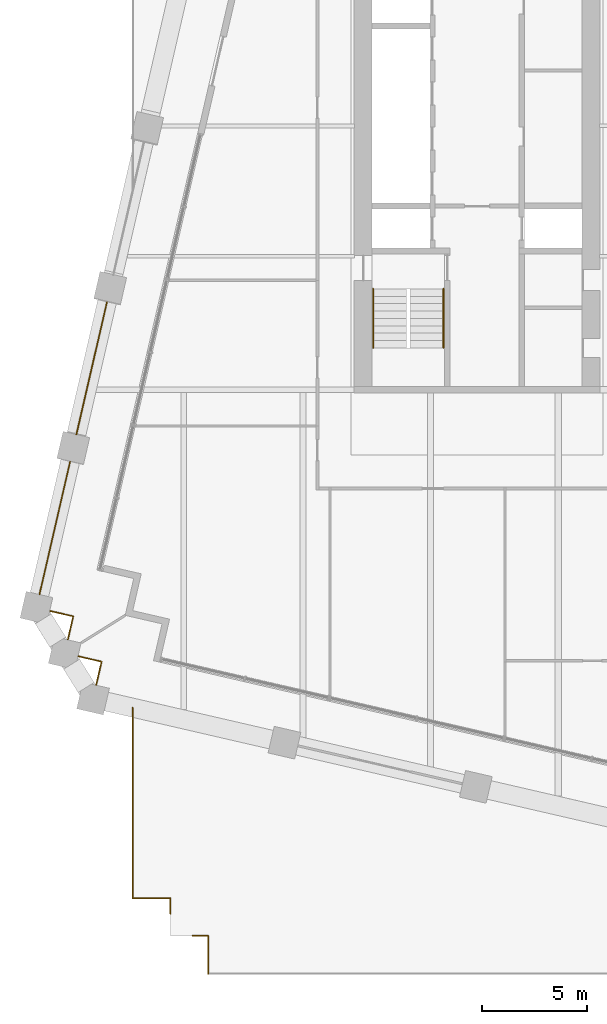
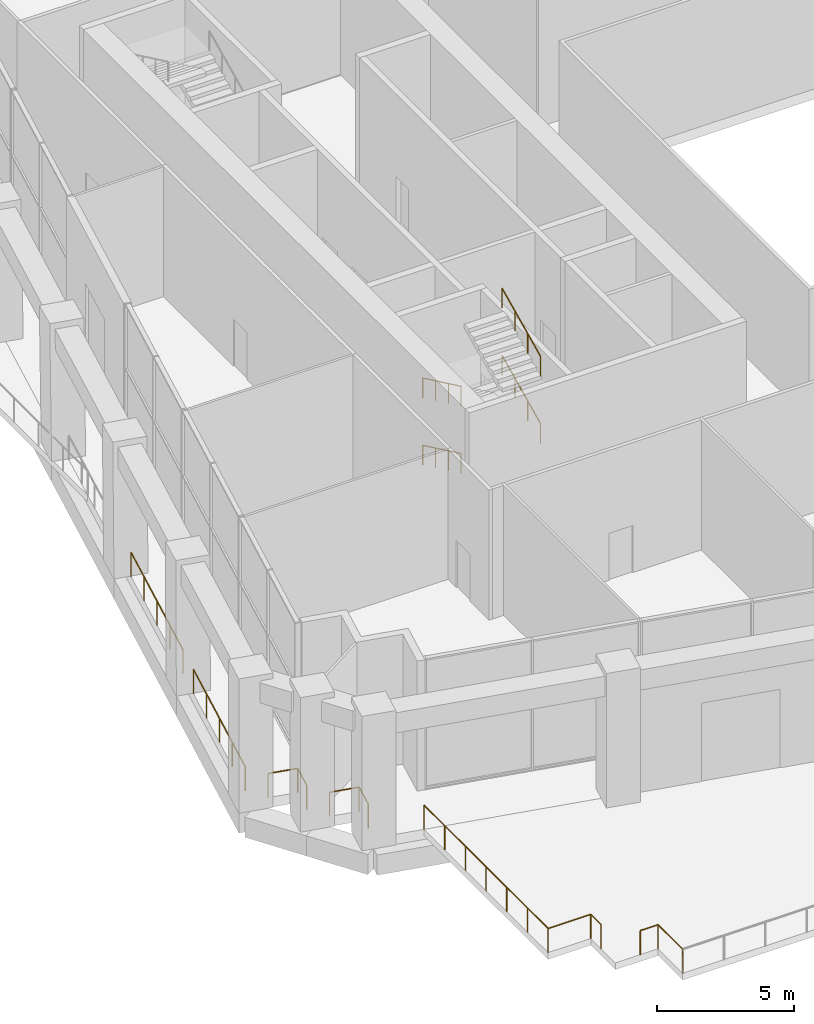
# One storey, part 20 of 23: 13 railings.
"""IFC4 building model written with IfcOpenShell, lengths in metres."""

from ifc_helpers import new_model, si_unit, direction, frame, origin, origin_2d, place, context, subcontext, project, spatial, circle, extrude, material, type_object, element, save


model = new_model("IFC4")

# Units and contexts
model_context = context("Model", 3, precision=1e-05, world=origin(), true_north=direction((0.0, 1.0)))
body_context = subcontext(model_context, "Body", "Model", "MODEL_VIEW")
ifc_project = project(units=[si_unit("LENGTHUNIT", "METRE"), si_unit("AREAUNIT", "SQUARE_METRE"), si_unit("VOLUMEUNIT", "CUBIC_METRE"), si_unit("PLANEANGLEUNIT", "RADIAN"), si_unit("MASSUNIT", "GRAM", prefix="KILO")], contexts=[model_context])

# Site, building, storey
site_placement = place(None, origin())
site = spatial("IfcSite", under=ifc_project, at=site_placement, CompositionType="ELEMENT")
building_placement = place(site_placement, origin())
building = spatial("IfcBuilding", under=site, at=building_placement, Name="Ogive Exchange Tower", CompositionType="ELEMENT")
storey_placement = place(building_placement, frame((0.0, 0.0, 99.60009765625)))
storey = spatial("IfcBuildingStorey", under=building, at=storey_placement, Name="L21", CompositionType="ELEMENT", Elevation=99.60009765625)

# Railings
ifc_material_1 = material(Name="Stainless steel 316", Category="steel")
railing_type_1 = type_object("IfcRailingType", Name="Balustrade 1100 glass and stainless steel", PredefinedType="BALUSTRADE", material=ifc_material_1)
railing_1_placement = place(storey_placement, frame((-28.800048828125, -30.39990234375, 0.0)))
element("IfcRailing", 1, at=railing_1_placement, inside=storey, type_object=railing_type_1, Name="Terrace balustrade 6", PredefinedType="BALUSTRADE", context=body_context, shape_type="SweptSolid", body=[
    extrude(circle(Radius=0.02392578125, at=origin_2d()), frame((0.0, 0.0, 1.076171875), z_axis=(0.0, 1.0, 0.0), x_axis=(-1.0, 0.0, 0.0)), (0.0, 0.0, 1.0), 1.7998046875),
    extrude(circle(Radius=0.02099609375, at=origin_2d()), origin(), (0.0, 0.0, 1.0), 1.052001953125),
    extrude(circle(Radius=0.02099609375, at=origin_2d()), frame((0.0, 1.7998046875, 0.0)), (0.0, 0.0, 1.0), 1.052001953125),
])
railing_2_placement = place(storey_placement, frame((-28.800048828125, -28.60009765625, 0.0)))
element("IfcRailing", 2, at=railing_2_placement, inside=storey, type_object=railing_type_1, Name="Terrace balustrade 7", PredefinedType="BALUSTRADE", context=body_context, shape_type="SweptSolid", body=[
    extrude(circle(Radius=0.02392578125, at=origin_2d()), frame((0.0, 0.0, 1.076171875), z_axis=(-1.0, 0.0, 0.0), x_axis=(0.0, -1.0, 0.0)), (0.0, 0.0, 1.0), 0.75),
    extrude(circle(Radius=0.02099609375, at=origin_2d()), origin(), (0.0, 0.0, 1.0), 1.052001953125),
    extrude(circle(Radius=0.02099609375, at=origin_2d()), frame((-0.75, 0.0, 0.0)), (0.0, 0.0, 1.0), 1.052001953125),
])
railing_3_placement = place(storey_placement, frame((-30.60009765625, -27.550048828125, 0.0)))
element("IfcRailing", 3, at=railing_3_placement, inside=storey, type_object=railing_type_1, Name="Terrace balustrade 8", PredefinedType="BALUSTRADE", context=body_context, shape_type="SweptSolid", body=[
    extrude(circle(Radius=0.02392578125, at=origin_2d()), frame((0.0, 0.0, 1.076171875), z_axis=(0.0, 1.0, 0.0), x_axis=(-1.0, 0.0, 0.0)), (0.0, 0.0, 1.0), 0.75),
    extrude(circle(Radius=0.02099609375, at=origin_2d()), origin(), (0.0, 0.0, 1.0), 1.052001953125),
    extrude(circle(Radius=0.02099609375, at=origin_2d()), frame((0.0, 0.75, 0.0)), (0.0, 0.0, 1.0), 1.052001953125),
])
railing_4_placement = place(storey_placement, frame((-30.60009765625, -26.800048828125, 0.0)))
element("IfcRailing", 4, at=railing_4_placement, inside=storey, type_object=railing_type_1, Name="Terrace balustrade 9", PredefinedType="BALUSTRADE", context=body_context, shape_type="SweptSolid", body=[
    extrude(circle(Radius=0.02392578125, at=origin_2d()), frame((0.0, 0.0, 1.076171875), z_axis=(-1.0, 0.0, 0.0), x_axis=(0.0, -1.0, 0.0)), (0.0, 0.0, 1.0), 1.7998046875),
    extrude(circle(Radius=0.02099609375, at=origin_2d()), origin(), (0.0, 0.0, 1.0), 1.052001953125),
    extrude(circle(Radius=0.02099609375, at=origin_2d()), frame((-1.7998046875, 0.0, 0.0)), (0.0, 0.0, 1.0), 1.052001953125),
])
railing_5_placement = place(storey_placement, frame((-32.39990234375, -26.800048828125, 0.0)))
element("IfcRailing", 5, at=railing_5_placement, inside=storey, type_object=railing_type_1, Name="Terrace balustrade 10", PredefinedType="BALUSTRADE", context=body_context, shape_type="SweptSolid", body=[
    extrude(circle(Radius=0.02392578125, at=origin_2d()), frame((0.0, 0.0, 1.076171875), z_axis=(0.0, 1.0, 0.0), x_axis=(-1.0, 0.0, 0.0)), (0.0, 0.0, 1.0), 9.0673828125),
    extrude(circle(Radius=0.02099609375, at=origin_2d()), origin(), (0.0, 0.0, 1.0), 1.052001953125),
    extrude(circle(Radius=0.02099609375, at=origin_2d()), frame((0.0, 1.51123046875, 0.0)), (0.0, 0.0, 1.0), 1.052001953125),
    extrude(circle(Radius=0.02099609375, at=origin_2d()), frame((0.0, 3.0224609375, 0.0)), (0.0, 0.0, 1.0), 1.052001953125),
    extrude(circle(Radius=0.02099609375, at=origin_2d()), frame((0.0, 4.53369140625, 0.0)), (0.0, 0.0, 1.0), 1.052001953125),
    extrude(circle(Radius=0.02099609375, at=origin_2d()), frame((0.0, 6.044921875, 0.0)), (0.0, 0.0, 1.0), 1.052001953125),
    extrude(circle(Radius=0.02099609375, at=origin_2d()), frame((0.0, 7.55615234375, 0.0)), (0.0, 0.0, 1.0), 1.052001953125),
    extrude(circle(Radius=0.02099609375, at=origin_2d()), frame((0.0, 9.0673828125, 0.0)), (0.0, 0.0, 1.0), 1.052001953125),
])
railing_type_2 = type_object("IfcRailingType", Name="Guard 1100 stainless steel and glass", PredefinedType="GUARDRAIL", material=ifc_material_1)
railing_6_placement = place(storey_placement, frame((-33.62158203125, 1.566650390625, 0.0)))
element("IfcRailing", 6, at=railing_6_placement, inside=storey, type_object=railing_type_2, Name="Loggia guard W05", PredefinedType="GUARDRAIL", context=body_context, shape_type="SweptSolid", body=[
    extrude(circle(Radius=0.02392578125, at=origin_2d()), frame((0.0, 0.0, 1.076171875), z_axis=(-0.224942310176, -0.974372083494, 0.0), x_axis=(0.974372083494, -0.224942310176, 0.0)), (0.0, 0.0, 1.0), 6.4599609375),
    extrude(circle(Radius=0.02099609375, at=origin_2d()), origin(), (0.0, 0.0, 1.0), 1.052001953125),
    extrude(circle(Radius=0.02099609375, at=origin_2d()), frame((-0.36328125, -1.57373046875, 0.0)), (0.0, 0.0, 1.0), 1.052001953125),
    extrude(circle(Radius=0.02099609375, at=origin_2d()), frame((-0.7265625, -3.147216796875, 0.0)), (0.0, 0.0, 1.0), 1.052001953125),
    extrude(circle(Radius=0.02099609375, at=origin_2d()), frame((-1.08984375, -4.720703125, 0.0)), (0.0, 0.0, 1.0), 1.052001953125),
    extrude(circle(Radius=0.02099609375, at=origin_2d()), frame((-1.453125, -6.29443359375, 0.0)), (0.0, 0.0, 1.0), 1.052001953125),
])
railing_7_placement = place(storey_placement, frame((-35.376220703125, -6.033203125, 0.0)))
element("IfcRailing", 7, at=railing_7_placement, inside=storey, type_object=railing_type_2, Name="Loggia guard W06", PredefinedType="GUARDRAIL", context=body_context, shape_type="SweptSolid", body=[
    extrude(circle(Radius=0.02392578125, at=origin_2d()), frame((0.0, 0.0, 1.076171875), z_axis=(-0.224934027157, -0.974373995664, 0.0), x_axis=(0.974373995664, -0.224934027157, 0.0)), (0.0, 0.0, 1.0), 6.460205078125),
    extrude(circle(Radius=0.02099609375, at=origin_2d()), origin(), (0.0, 0.0, 1.0), 1.052001953125),
    extrude(circle(Radius=0.02099609375, at=origin_2d()), frame((-0.36328125, -1.57373046875, 0.0)), (0.0, 0.0, 1.0), 1.052001953125),
    extrude(circle(Radius=0.02099609375, at=origin_2d()), frame((-0.7265625, -3.1474609375, 0.0)), (0.0, 0.0, 1.0), 1.052001953125),
    extrude(circle(Radius=0.02099609375, at=origin_2d()), frame((-1.08984375, -4.720947265625, 0.0)), (0.0, 0.0, 1.0), 1.052001953125),
    extrude(circle(Radius=0.02099609375, at=origin_2d()), frame((-1.453125, -6.294677734375, 0.0)), (0.0, 0.0, 1.0), 1.052001953125),
])
for number, where, name in (
    (8, (-36.3271484375, -13.13134765625, 0.0), "Loggia guard C41"),
    (9, (-34.978271484375, -15.2900390625, 0.0), "Loggia guard C42"),
):
    element("IfcRailing", number, at=place(storey_placement, frame(where)), inside=storey, type_object=railing_type_2, Name=name, PredefinedType="GUARDRAIL", context=body_context, shape_type="SweptSolid", body=[
        extrude(circle(Radius=0.02392578125, at=origin_2d()), frame((0.0, 0.0, 1.076171875), z_axis=(0.974380270727, -0.224906842977, 0.0), x_axis=(0.224906842977, 0.974380270727, 0.0)), (0.0, 0.0, 1.0), 1.130126953125),
        extrude(circle(Radius=0.02392578125, at=origin_2d()), frame((1.10107421875, -0.254150390625, 1.076171875), z_axis=(-0.224906842977, -0.974380270727, 0.0), x_axis=(0.974380270727, -0.224906842977, 0.0)), (0.0, 0.0, 1.0), 1.130126953125),
        extrude(circle(Radius=0.02099609375, at=origin_2d()), origin(), (0.0, 0.0, 1.0), 1.052001953125),
        extrude(circle(Radius=0.02099609375, at=origin_2d()), frame((1.10107421875, -0.254150390625, 0.0)), (0.0, 0.0, 1.0), 1.052001953125),
        extrude(circle(Radius=0.02099609375, at=origin_2d()), frame((0.846923828125, -1.355224609375, 0.0)), (0.0, 0.0, 1.0), 1.052001953125),
    ])
ifc_material_2 = material(Name="Stainless steel", Category="steel")
railing_type_3 = type_object("IfcRailingType", Name="Stair handrail 900", PredefinedType="HANDRAIL", material=ifc_material_2)
railing_8_placement = place(storey_placement, frame((-20.949951171875, 2.199951171875, 0.16650390625)))
element("IfcRailing", 10, at=railing_8_placement, inside=storey, type_object=railing_type_3, Name="L21 ST1 stair handrail 1", PredefinedType="HANDRAIL", context=body_context, shape_type="SweptSolid", body=[
    extrude(circle(Radius=0.02392578125, at=origin_2d()), frame((0.0, 0.0, 0.8759765625), z_axis=(0.0, -0.903307180593, 0.428994332701), x_axis=(1.0, 0.0, 0.0)), (0.0, 0.0, 1.0), 3.1083984375),
    extrude(circle(Radius=0.02099609375, at=origin_2d()), origin(), (0.0, 0.0, 1.0), 0.851806640625),
    extrude(circle(Radius=0.02099609375, at=origin_2d()), frame((0.0, -0.93603515625, 0.444580078125)), (0.0, 0.0, 1.0), 0.851806640625),
    extrude(circle(Radius=0.02099609375, at=origin_2d()), frame((0.0, -1.871826171875, 0.888916015625)), (0.0, 0.0, 1.0), 0.851806640625),
    extrude(circle(Radius=0.02099609375, at=origin_2d()), frame((0.0, -2.807861328125, 1.33349609375)), (0.0, 0.0, 1.0), 0.851806640625),
])
railing_9_placement = place(storey_placement, frame((-17.60009765625, -0.60791015625, 1.66650390625)))
element("IfcRailing", 11, at=railing_9_placement, inside=storey, type_object=railing_type_3, Name="L21 ST1 stair handrail 2", PredefinedType="HANDRAIL", context=body_context, shape_type="SweptSolid", body=[
    extrude(circle(Radius=0.02392578125, at=origin_2d()), frame((0.0, 0.0, 0.8759765625), z_axis=(0.0, 0.903307180593, 0.428994332701), x_axis=(-1.0, 0.0, 0.0)), (0.0, 0.0, 1.0), 3.1083984375),
    extrude(circle(Radius=0.02099609375, at=origin_2d()), origin(), (0.0, 0.0, 1.0), 0.851806640625),
    extrude(circle(Radius=0.02099609375, at=origin_2d()), frame((0.0, 0.93603515625, 0.444580078125)), (0.0, 0.0, 1.0), 0.851806640625),
    extrude(circle(Radius=0.02099609375, at=origin_2d()), frame((0.0, 1.871826171875, 0.888916015625)), (0.0, 0.0, 1.0), 0.851806640625),
    extrude(circle(Radius=0.02099609375, at=origin_2d()), frame((0.0, 2.807861328125, 1.33349609375)), (0.0, 0.0, 1.0), 0.851806640625),
])
railing_10_placement = place(storey_placement, frame((-20.949951171875, 2.199951171875, 3.16650390625)))
element("IfcRailing", 12, at=railing_10_placement, inside=storey, type_object=railing_type_3, Name="L21 ST1 stair handrail 3", PredefinedType="HANDRAIL", context=body_context, shape_type="SweptSolid", body=[
    extrude(circle(Radius=0.02392578125, at=origin_2d()), frame((0.0, 0.0, 0.8759765625), z_axis=(0.0, -0.903307180593, 0.428994332701), x_axis=(1.0, 0.0, 0.0)), (0.0, 0.0, 1.0), 3.1083984375),
    extrude(circle(Radius=0.02099609375, at=origin_2d()), origin(), (0.0, 0.0, 1.0), 0.851806640625),
    extrude(circle(Radius=0.02099609375, at=origin_2d()), frame((0.0, -0.93603515625, 0.444580078125)), (0.0, 0.0, 1.0), 0.851806640625),
    extrude(circle(Radius=0.02099609375, at=origin_2d()), frame((0.0, -1.871826171875, 0.888916015625)), (0.0, 0.0, 1.0), 0.851806640625),
    extrude(circle(Radius=0.02099609375, at=origin_2d()), frame((0.0, -2.807861328125, 1.33349609375)), (0.0, 0.0, 1.0), 0.851806640625),
])
railing_11_placement = place(storey_placement, frame((-17.60009765625, -0.60791015625, 4.66650390625)))
element("IfcRailing", 13, at=railing_11_placement, inside=storey, type_object=railing_type_3, Name="L21 ST1 stair handrail 4", PredefinedType="HANDRAIL", context=body_context, shape_type="SweptSolid", body=[
    extrude(circle(Radius=0.02392578125, at=origin_2d()), frame((0.0, 0.0, 0.8759765625), z_axis=(0.0, 0.903307180593, 0.428994332701), x_axis=(-1.0, 0.0, 0.0)), (0.0, 0.0, 1.0), 3.1083984375),
    extrude(circle(Radius=0.02099609375, at=origin_2d()), origin(), (0.0, 0.0, 1.0), 0.851806640625),
    extrude(circle(Radius=0.02099609375, at=origin_2d()), frame((0.0, 0.93603515625, 0.444580078125)), (0.0, 0.0, 1.0), 0.851806640625),
    extrude(circle(Radius=0.02099609375, at=origin_2d()), frame((0.0, 1.871826171875, 0.888916015625)), (0.0, 0.0, 1.0), 0.851806640625),
    extrude(circle(Radius=0.02099609375, at=origin_2d()), frame((0.0, 2.807861328125, 1.33349609375)), (0.0, 0.0, 1.0), 0.851806640625),
])

save(model, "model.ifc")
